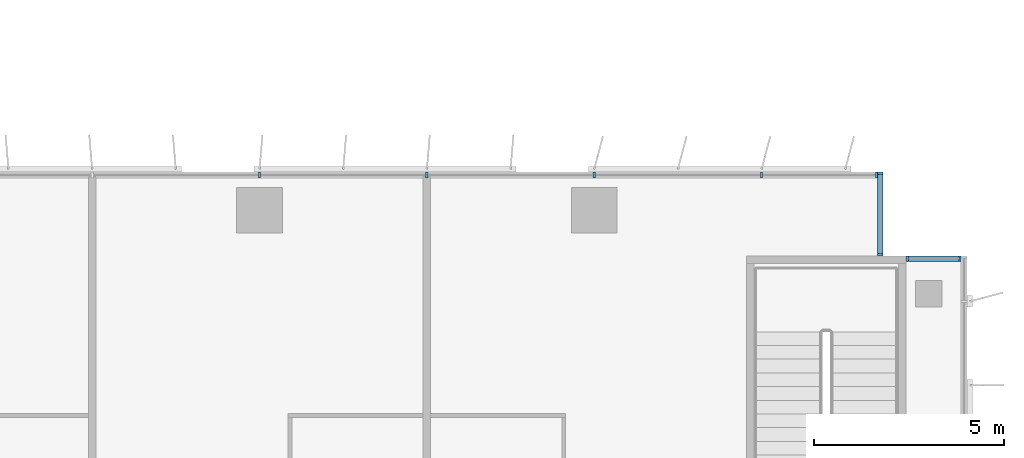
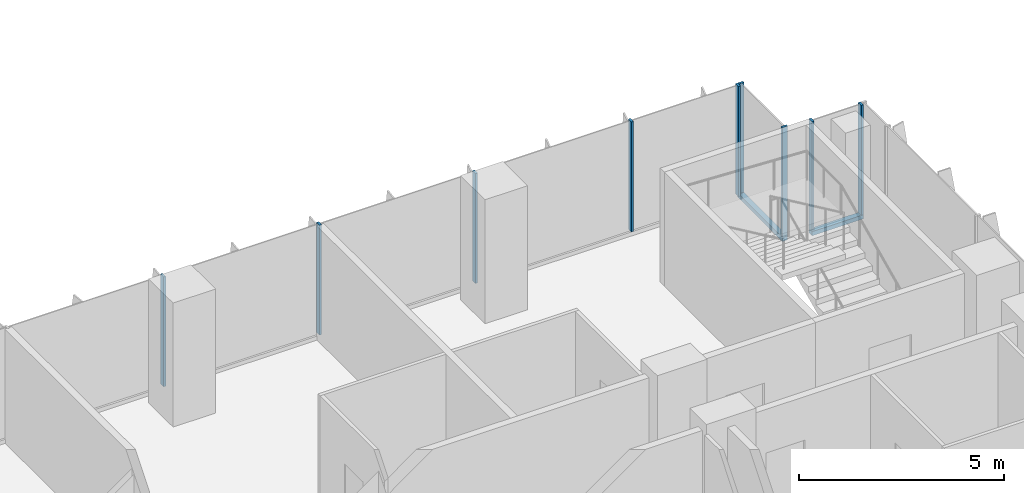
# One storey, part 4 of 22: 11 members, 3 elements without a shape of their own.
"""IFC4 building model written with IfcOpenShell, lengths in metres."""

from ifc_helpers import new_model, si_unit, direction, frame, origin, origin_2d, place, context, subcontext, project, spatial, rectangle, extrude, source, transform, mapped, material, material_profile, profile_set, type_object, element, aggregate, save


model = new_model("IFC4")

# Units and contexts
model_context = context("Model", 3, precision=1e-05, world=origin(), true_north=direction((0.0, 1.0)))
body_context = subcontext(model_context, "Body", "Model", "MODEL_VIEW")
ifc_project = project(units=[si_unit("LENGTHUNIT", "METRE"), si_unit("AREAUNIT", "SQUARE_METRE"), si_unit("VOLUMEUNIT", "CUBIC_METRE"), si_unit("PLANEANGLEUNIT", "RADIAN"), si_unit("MASSUNIT", "GRAM", prefix="KILO")], contexts=[model_context])

# Site, building, storey
site_placement = place(None, origin())
site = spatial("IfcSite", under=ifc_project, at=site_placement, CompositionType="ELEMENT")
building_placement = place(site_placement, origin())
building = spatial("IfcBuilding", under=site, at=building_placement, Name="Kemantara Hotel Tower", CompositionType="ELEMENT")
storey_placement = place(building_placement, frame((0.0, 0.0, 122.199951171875)))
storey = spatial("IfcBuildingStorey", under=building, at=storey_placement, Name="L29", CompositionType="ELEMENT", Elevation=122.199951171875)

# Curtain wall, member
ifc_material_1 = material(Name="Low-E tinted double insulated glass 36 mm", Category="glass")
curtain_wall_type = type_object("IfcCurtainWallType", Name="TOWER CURTAIN WALL, FRONT FACES", PredefinedType="USERDEFINED", material=ifc_material_1)
curtain_wall_1_placement = place(storey_placement, origin())
curtain_wall_1 = element("IfcCurtainWall", 1, at=curtain_wall_1_placement, inside=storey, type_object=curtain_wall_type, Name="CW4 L29 T2-R11-1", ObjectType="TOWER CURTAIN WALL, FRONT FACES", PredefinedType="USERDEFINED")
ifc_material_2 = material(Name="Aluminium 6063-T6 bronze anodised", Category="aluminium")
ifc_material_profile_1 = material_profile(ifc_material_2, rectangle(XDim=0.14990234375, YDim=0.1201171875, at=origin_2d()), Name="TOWER CURTAIN WALL, FRONT FACES TRANSOM")
ifc_profile_set_1 = profile_set([ifc_material_profile_1], Name="Aluminium 6063-T6 bronze anodised")
member_type_1 = type_object("IfcMemberType", Name="TOWER CURTAIN WALL, FRONT FACES TRANSOM", PredefinedType="USERDEFINED", material=ifc_profile_set_1)
member_1_placement = place(storey_placement, frame((63.449951171875, 19.72509765625, 0.06005859375), z_axis=(-1.0, 0.0, 0.0), x_axis=(0.0, -1.0, 0.0)))
member_1 = element("IfcMember", 2, at=member_1_placement, type_object=member_type_1, Name="CW4 sill transom T2-R11-1", ObjectType="TRANSOM", PredefinedType="USERDEFINED", context=body_context, shape_type="SweptSolid", body=[
    extrude(rectangle(XDim=0.14990234375, YDim=0.1201171875, at=origin_2d()), origin(), (0.0, 0.0, 1.0), 1.449951171875),
])

curtain_wall_2_placement = place(storey_placement, origin())
curtain_wall_2 = element("IfcCurtainWall", 3, at=curtain_wall_2_placement, inside=storey, type_object=curtain_wall_type, Name="CW4 L29 T2-R12-1", ObjectType="TOWER CURTAIN WALL, FRONT FACES", PredefinedType="USERDEFINED")
member_2_placement = place(storey_placement, frame((61.324951171875, 19.800048828125, 0.06005859375), z_axis=(0.0, 1.0, 0.0), x_axis=(-1.0, 0.0, 0.0)))
member_2 = element("IfcMember", 4, at=member_2_placement, type_object=member_type_1, Name="CW4 sill transom T2-R12-1", ObjectType="TRANSOM", PredefinedType="USERDEFINED", context=body_context, shape_type="SweptSolid", body=[
    extrude(rectangle(XDim=0.14990234375, YDim=0.1201171875, at=origin_2d()), origin(), (0.0, 0.0, 1.0), 2.199951171875),
])

# Curtain wall, members
curtain_wall_3_placement = place(storey_placement, origin())
curtain_wall_3 = element("IfcCurtainWall", 5, at=curtain_wall_3_placement, inside=storey, type_object=curtain_wall_type, Name="CW4 L29 T2-R13-1", ObjectType="TOWER CURTAIN WALL, FRONT FACES", PredefinedType="USERDEFINED")
ifc_material_profile_2 = material_profile(ifc_material_2, rectangle(XDim=0.14990234375, YDim=0.06005859375, at=origin_2d()), Name="TOWER CURTAIN WALL, FRONT FACES MULLION")
ifc_profile_set_2 = profile_set([ifc_material_profile_2], Name="Aluminium 6063-T6 bronze anodised")
member_type_2 = type_object("IfcMemberType", Name="TOWER CURTAIN WALL, FRONT FACES MULLION", PredefinedType="MULLION", material=ifc_profile_set_2)
shared_shape = source(origin(), body_context, "Body", "SweptSolid", [
    extrude(rectangle(XDim=0.14990234375, YDim=0.06005859375, at=origin_2d()), origin(), (0.0, 0.0, 1.0), 3.280029296875),
])
member_3_placement = place(storey_placement, frame((61.219970703125, 21.925048828125, 0.1201171875), z_axis=(0.0, 0.0, 1.0), x_axis=(0.0, -1.0, 0.0)))
member_3 = element("IfcMember", 6, at=member_3_placement, type_object=member_type_2, Name="CW4 mullion T2-R13-1.1", PredefinedType="MULLION", context=body_context, shape_type="MappedRepresentation", body=[
    mapped(shared_shape, transform((0.0, 0.0, 0.0))),
])
member_4_placement = place(storey_placement, frame((58.199951171875, 21.925048828125, 0.1201171875), z_axis=(0.0, 0.0, 1.0), x_axis=(0.0, -1.0, 0.0)))
member_4 = element("IfcMember", 7, at=member_4_placement, type_object=member_type_2, Name="CW4 mullion T2-R13-1.2", PredefinedType="MULLION", context=body_context, shape_type="MappedRepresentation", body=[
    mapped(shared_shape, transform((0.0, 0.0, 0.0))),
])
member_5_placement = place(storey_placement, frame((53.800048828125, 21.925048828125, 0.1201171875), z_axis=(0.0, 0.0, 1.0), x_axis=(0.0, -1.0, 0.0)))
member_5 = element("IfcMember", 8, at=member_5_placement, type_object=member_type_2, Name="CW4 mullion T2-R13-1.3", PredefinedType="MULLION", context=body_context, shape_type="MappedRepresentation", body=[
    mapped(shared_shape, transform((0.0, 0.0, 0.0))),
])
member_6_placement = place(storey_placement, frame((49.39990234375, 21.925048828125, 0.1201171875), z_axis=(0.0, 0.0, 1.0), x_axis=(0.0, -1.0, 0.0)))
member_6 = element("IfcMember", 9, at=member_6_placement, type_object=member_type_2, Name="CW4 mullion T2-R13-1.4", PredefinedType="MULLION", context=body_context, shape_type="MappedRepresentation", body=[
    mapped(shared_shape, transform((0.0, 0.0, 0.0))),
])
member_7_placement = place(storey_placement, frame((45.0, 21.925048828125, 0.1201171875), z_axis=(0.0, 0.0, 1.0), x_axis=(0.0, -1.0, 0.0)))
member_7 = element("IfcMember", 10, at=member_7_placement, type_object=member_type_2, Name="CW4 mullion T2-R13-1.5", PredefinedType="MULLION", context=body_context, shape_type="MappedRepresentation", body=[
    mapped(shared_shape, transform((0.0, 0.0, 0.0))),
])
aggregate(curtain_wall_3, [member_3, member_4, member_5, member_6, member_7])

# Member
member_8_placement = place(storey_placement, frame((63.419921875, 19.72509765625, 0.1201171875), z_axis=(0.0, 0.0, 1.0), x_axis=(0.0, -1.0, 0.0)))
member_8 = element("IfcMember", 11, at=member_8_placement, type_object=member_type_2, Name="CW4 mullion T2-R11-1.1", PredefinedType="MULLION", context=body_context, shape_type="MappedRepresentation", body=[
    mapped(shared_shape, transform((0.0, 0.0, 0.0))),
])

member_9_placement = place(storey_placement, frame((62.030029296875, 19.72509765625, 0.1201171875), z_axis=(0.0, 0.0, 1.0), x_axis=(0.0, -1.0, 0.0)))
member_9 = element("IfcMember", 12, at=member_9_placement, type_object=member_type_2, Name="CW4 mullion T2-R11-1.2", PredefinedType="MULLION", context=body_context, shape_type="MappedRepresentation", body=[
    mapped(shared_shape, transform((0.0, 0.0, 0.0))),
])

aggregate(curtain_wall_1, [member_1, member_8, member_9])

member_10_placement = place(storey_placement, frame((61.324951171875, 19.830078125, 0.1201171875), z_axis=(0.0, 0.0, 1.0), x_axis=(-1.0, 0.0, 0.0)))
member_10 = element("IfcMember", 13, at=member_10_placement, type_object=member_type_2, Name="CW4 mullion T2-R12-1.1", PredefinedType="MULLION", context=body_context, shape_type="MappedRepresentation", body=[
    mapped(shared_shape, transform((0.0, 0.0, 0.0))),
])

member_11_placement = place(storey_placement, frame((61.324951171875, 21.969970703125, 0.1201171875), z_axis=(0.0, 0.0, 1.0), x_axis=(-1.0, 0.0, 0.0)))
member_11 = element("IfcMember", 14, at=member_11_placement, type_object=member_type_2, Name="CW4 mullion T2-R12-1.2", PredefinedType="MULLION", context=body_context, shape_type="MappedRepresentation", body=[
    mapped(shared_shape, transform((0.0, 0.0, 0.0))),
])

aggregate(curtain_wall_2, [member_2, member_10, member_11])

save(model, "model.ifc")
